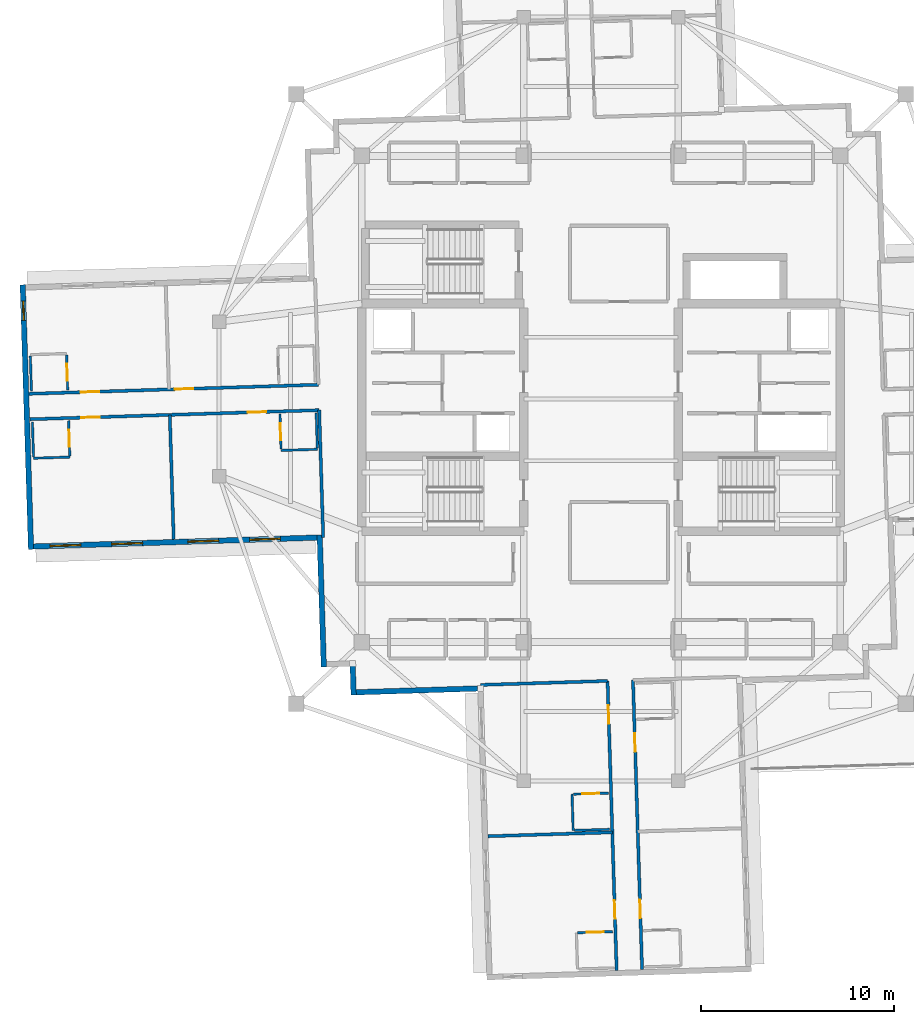
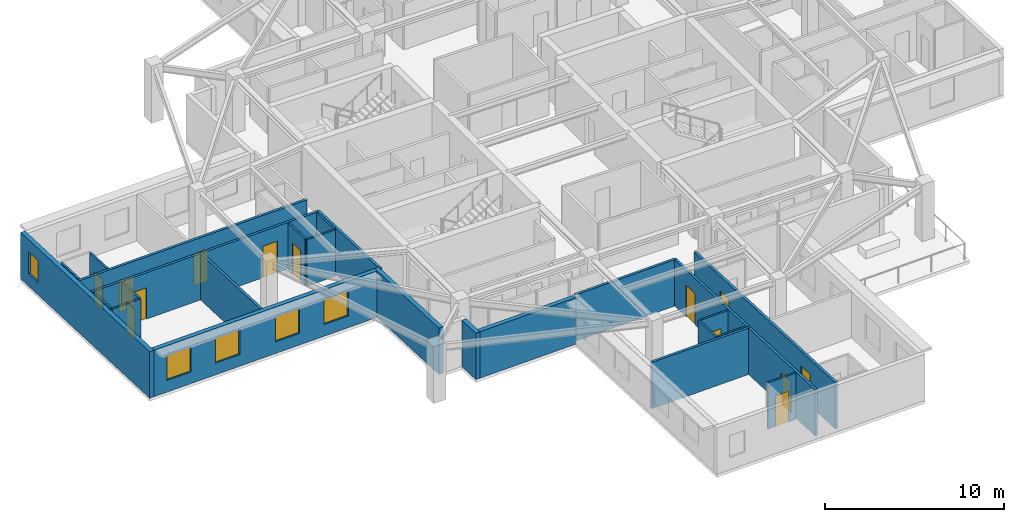
# One storey, part 3 of 13: 25 walls, 13 doors, 5 windows, 18 openings.
"""IFC4 building model written with IfcOpenShell, lengths in metres."""

from ifc_helpers import new_model, si_unit, direction, frame, frame_2d, origin, place, context, subcontext, project, spatial, rectangle, extrude, material, layer, layer_set, type_object, element, fill, save


model = new_model("IFC4")

# Units and contexts
model_context = context("Model", 3, precision=1e-05, world=origin(), true_north=direction((0.0, 1.0)))
body_context = subcontext(model_context, "Body", "Model", "MODEL_VIEW")
ifc_project = project(units=[si_unit("LENGTHUNIT", "METRE"), si_unit("AREAUNIT", "SQUARE_METRE"), si_unit("VOLUMEUNIT", "CUBIC_METRE"), si_unit("PLANEANGLEUNIT", "RADIAN"), si_unit("MASSUNIT", "GRAM", prefix="KILO")], contexts=[model_context])

# Site, building, storey
site_placement = place(None, origin())
site = spatial("IfcSite", under=ifc_project, at=site_placement, CompositionType="ELEMENT")
building_placement = place(site_placement, origin())
building = spatial("IfcBuilding", under=site, at=building_placement, Name="Qingluan Cross Belvedere", CompositionType="ELEMENT")
storey_placement = place(building_placement, frame((0.0, 0.0, 273.300048828125)))
storey = spatial("IfcBuildingStorey", under=building, at=storey_placement, Name="L68", CompositionType="ELEMENT", Elevation=273.300048828125)

# Wall, openings, doors
ifc_material_1 = material(Name="Gypsum plasterboard on steel stud acoustic partition", Category="steel")
ifc_layer_1 = layer(ifc_material_1, 0.159912109375, Name="CorridorPartition_160")
ifc_layer_set_1 = layer_set([ifc_layer_1], Name="Gypsum plasterboard on steel stud acoustic partition")
wall_type_1 = type_object("IfcWallType", Name="CorridorPartition_160", PredefinedType="PARTITIONING", material=ifc_layer_set_1)
wall_1_placement = place(storey_placement, frame((-14.650390625, 0.740234375, 0.0), z_axis=(0.0, 0.0, 1.0), x_axis=(-0.999506267701, -0.03142007044, 0.0)))
wall_1 = element("IfcWall", 1, at=wall_1_placement, inside=storey, type_object=wall_type_1, Name="Partition L68:W:c0", PredefinedType="PARTITIONING", context=body_context, shape_type="SweptSolid", body=[
    extrude(rectangle(XDim=15.011962890625, YDim=0.159912109375, at=frame_2d((7.505859375, 0.0))), origin(), (0.0, 0.0, 1.0), 3.169921875),
])
opening_1_placement = place(wall_1_placement, frame((6.489990234375, 0.0, 0.0)))
opening_1 = element("IfcOpeningElement", 2, at=opening_1_placement, cuts=wall_1, Name="Opening GD-10", PredefinedType="OPENING", context=body_context, shape_type="SweptSolid", body=[
    extrude(rectangle(XDim=0.9599609375, YDim=2.14990234375, at=frame_2d((0.47998046875, 1.074951171875))), frame((0.0, 0.08984375, 0.0), z_axis=(0.0, -1.0, 0.0), x_axis=(1.0, 0.0, 0.0)), (0.0, 0.0, 1.0), 0.179931640625),
])
opening_2_placement = place(wall_1_placement, frame((11.37109375, 0.0, 0.0)))
opening_2 = element("IfcOpeningElement", 3, at=opening_2_placement, cuts=wall_1, Name="Opening GD-10", PredefinedType="OPENING", context=body_context, shape_type="SweptSolid", body=[
    extrude(rectangle(XDim=0.9599609375, YDim=2.14990234375, at=frame_2d((0.47998046875, 1.074951171875))), frame((0.0, 0.08984375, 0.0), z_axis=(0.0, -1.0, 0.0), x_axis=(1.0, 0.0, 0.0)), (0.0, 0.0, 1.0), 0.179931640625),
])
ifc_material_2 = material(Name="Timber oak fire-rated acoustic guestroom door", Category="wood")
door_type_1 = type_object("IfcDoorType", Name="GuestEntryDoor_FD60", OperationType="NOTDEFINED", PredefinedType="DOOR", material=ifc_material_2)
door_1_placement = place(opening_1_placement, origin())
door_1 = element("IfcDoor", 4, at=door_1_placement, inside=storey, type_object=door_type_1, Name="Guest entry fire door 6805", OperationType="SINGLE_SWING_LEFT", OverallHeight=2.14990234375, OverallWidth=0.9599609375, PredefinedType="DOOR", context=body_context, shape_type="SweptSolid", body=[
    extrude(rectangle(XDim=0.9599609375, YDim=2.14990234375, at=frame_2d((0.47998046875, 1.074951171875))), frame((0.0, 0.02490234375, 0.0), z_axis=(0.0, -1.0, 0.0), x_axis=(1.0, 0.0, 0.0)), (0.0, 0.0, 1.0), 0.050048828125),
])
fill(opening_1, door_1)
door_2_placement = place(opening_2_placement, origin())
door_2 = element("IfcDoor", 5, at=door_2_placement, inside=storey, type_object=door_type_1, Name="Guest entry fire door 6806", OperationType="SINGLE_SWING_LEFT", OverallHeight=2.14990234375, OverallWidth=0.9599609375, PredefinedType="DOOR", context=body_context, shape_type="SweptSolid", body=[
    extrude(rectangle(XDim=0.9599609375, YDim=2.14990234375, at=frame_2d((0.47998046875, 1.074951171875))), frame((0.0, 0.02490234375, 0.0), z_axis=(0.0, -1.0, 0.0), x_axis=(1.0, 0.0, 0.0)), (0.0, 0.0, 1.0), 0.050048828125),
])
fill(opening_2, door_2)

wall_2_placement = place(storey_placement, frame((-14.60888671875, -0.5791015625, 0.0), z_axis=(0.0, 0.0, 1.0), x_axis=(-0.999506267701, -0.03142007044, 0.0)))
wall_2 = element("IfcWall", 6, at=wall_2_placement, inside=storey, type_object=wall_type_1, Name="Partition L68:W:c1", PredefinedType="PARTITIONING", context=body_context, shape_type="SweptSolid", body=[
    extrude(rectangle(XDim=15.011962890625, YDim=0.159912109375, at=frame_2d((7.505859375, 0.0))), origin(), (0.0, 0.0, 1.0), 3.169921875),
])
opening_3_placement = place(wall_2_placement, frame((2.7548828125, 0.0, 0.0)))
opening_3 = element("IfcOpeningElement", 7, at=opening_3_placement, cuts=wall_2, Name="Opening GD-10", PredefinedType="OPENING", context=body_context, shape_type="SweptSolid", body=[
    extrude(rectangle(XDim=0.9599609375, YDim=2.14990234375, at=frame_2d((0.47998046875, 1.074951171875))), frame((0.0, 0.08984375, 0.0), z_axis=(0.0, -1.0, 0.0), x_axis=(1.0, 0.0, 0.0)), (0.0, 0.0, 1.0), 0.179931640625),
])
opening_4_placement = place(wall_2_placement, frame((11.37109375, 0.0, 0.0)))
opening_4 = element("IfcOpeningElement", 8, at=opening_4_placement, cuts=wall_2, Name="Opening GD-10", PredefinedType="OPENING", context=body_context, shape_type="SweptSolid", body=[
    extrude(rectangle(XDim=0.9599609375, YDim=2.14990234375, at=frame_2d((0.47998046875, 1.074951171875))), frame((0.0, 0.08984375, 0.0), z_axis=(0.0, -1.0, 0.0), x_axis=(1.0, 0.0, 0.0)), (0.0, 0.0, 1.0), 0.179931640625),
])
door_3_placement = place(opening_3_placement, origin())
door_3 = element("IfcDoor", 9, at=door_3_placement, inside=storey, type_object=door_type_1, Name="Guest entry fire door 6807", OperationType="SINGLE_SWING_LEFT", OverallHeight=2.14990234375, OverallWidth=0.9599609375, PredefinedType="DOOR", context=body_context, shape_type="SweptSolid", body=[
    extrude(rectangle(XDim=0.9599609375, YDim=2.14990234375, at=frame_2d((0.47998046875, 1.074951171875))), frame((0.0, 0.02490234375, 0.0), z_axis=(0.0, -1.0, 0.0), x_axis=(1.0, 0.0, 0.0)), (0.0, 0.0, 1.0), 0.050048828125),
])
fill(opening_3, door_3)
door_4_placement = place(opening_4_placement, origin())
door_4 = element("IfcDoor", 10, at=door_4_placement, inside=storey, type_object=door_type_1, Name="Guest entry fire door 6808", OperationType="SINGLE_SWING_LEFT", OverallHeight=2.14990234375, OverallWidth=0.9599609375, PredefinedType="DOOR", context=body_context, shape_type="SweptSolid", body=[
    extrude(rectangle(XDim=0.9599609375, YDim=2.14990234375, at=frame_2d((0.47998046875, 1.074951171875))), frame((0.0, 0.02490234375, 0.0), z_axis=(0.0, -1.0, 0.0), x_axis=(1.0, 0.0, 0.0)), (0.0, 0.0, 1.0), 0.050048828125),
])
fill(opening_4, door_4)

# Walls
wall_3_placement = place(storey_placement, frame((-14.60888671875, -0.5791015625, 0.0), z_axis=(0.0, 0.0, 1.0), x_axis=(0.031405670078, -0.999506720281, 0.0)))
element("IfcWall", 11, at=wall_3_placement, inside=storey, type_object=wall_type_1, Name="Partition L68:W:s1", PredefinedType="PARTITIONING", context=body_context, shape_type="SweptSolid", body=[
    extrude(rectangle(XDim=6.599853515625, YDim=0.159912109375, at=frame_2d((3.2998046875, 0.0))), origin(), (0.0, 0.0, 1.0), 3.169921875),
])
wall_4_placement = place(storey_placement, frame((-22.355224609375, -0.822509765625, 0.0), z_axis=(0.0, 0.0, 1.0), x_axis=(0.031406040816, -0.999506708632, 0.0)))
element("IfcWall", 12, at=wall_4_placement, inside=storey, type_object=wall_type_1, Name="Partition L68:W:d1_0", PredefinedType="PARTITIONING", context=body_context, shape_type="SweptSolid", body=[
    extrude(rectangle(XDim=6.4521484375, YDim=0.159912109375, at=frame_2d((3.22607421875, 0.0))), origin(), (0.0, 0.0, 1.0), 3.169921875),
])

# Wall, openings, doors
wall_5_placement = place(storey_placement, frame((1.65869140625, -14.5751953125, 0.0), z_axis=(0.0, 0.0, 1.0), x_axis=(0.031404333983, -0.999506762262, 0.0)))
wall_5 = element("IfcWall", 13, at=wall_5_placement, inside=storey, type_object=wall_type_1, Name="Partition L68:S:c0", PredefinedType="PARTITIONING", context=body_context, shape_type="SweptSolid", body=[
    extrude(rectangle(XDim=15.01171875, YDim=0.159912109375, at=frame_2d((7.505859375, 0.0))), origin(), (0.0, 0.0, 1.0), 3.169921875),
])
opening_5_placement = place(wall_5_placement, frame((2.764892578125, 0.0, 0.0)))
opening_5 = element("IfcOpeningElement", 14, at=opening_5_placement, cuts=wall_5, Name="Opening GD-10", PredefinedType="OPENING", context=body_context, shape_type="SweptSolid", body=[
    extrude(rectangle(XDim=0.9599609375, YDim=2.14990234375, at=frame_2d((0.47998046875, 1.074951171875))), frame((0.0, 0.08984375, 0.0), z_axis=(0.0, -1.0, 0.0), x_axis=(1.0, 0.0, 0.0)), (0.0, 0.0, 1.0), 0.179931640625),
])
opening_6_placement = place(wall_5_placement, frame((11.381103515625, 0.0, 0.0)))
opening_6 = element("IfcOpeningElement", 15, at=opening_6_placement, cuts=wall_5, Name="Opening GD-10", PredefinedType="OPENING", context=body_context, shape_type="SweptSolid", body=[
    extrude(rectangle(XDim=0.9599609375, YDim=2.14990234375, at=frame_2d((0.47998046875, 1.074951171875))), frame((0.0, 0.08984375, 0.0), z_axis=(0.0, -1.0, 0.0), x_axis=(1.0, 0.0, 0.0)), (0.0, 0.0, 1.0), 0.179931640625),
])
door_5_placement = place(opening_5_placement, origin())
door_5 = element("IfcDoor", 16, at=door_5_placement, inside=storey, type_object=door_type_1, Name="Guest entry fire door 6815", OperationType="SINGLE_SWING_LEFT", OverallHeight=2.14990234375, OverallWidth=0.9599609375, PredefinedType="DOOR", context=body_context, shape_type="SweptSolid", body=[
    extrude(rectangle(XDim=0.9599609375, YDim=2.14990234375, at=frame_2d((0.47998046875, 1.074951171875))), frame((0.0, 0.02490234375, 0.0), z_axis=(0.0, -1.0, 0.0), x_axis=(1.0, 0.0, 0.0)), (0.0, 0.0, 1.0), 0.050048828125),
])
fill(opening_5, door_5)
door_6_placement = place(opening_6_placement, origin())
door_6 = element("IfcDoor", 17, at=door_6_placement, inside=storey, type_object=door_type_1, Name="Guest entry fire door 6816", OperationType="SINGLE_SWING_LEFT", OverallHeight=2.14990234375, OverallWidth=0.9599609375, PredefinedType="DOOR", context=body_context, shape_type="SweptSolid", body=[
    extrude(rectangle(XDim=0.9599609375, YDim=2.14990234375, at=frame_2d((0.47998046875, 1.074951171875))), frame((0.0, 0.02490234375, 0.0), z_axis=(0.0, -1.0, 0.0), x_axis=(1.0, 0.0, 0.0)), (0.0, 0.0, 1.0), 0.050048828125),
])
fill(opening_6, door_6)

wall_6_placement = place(storey_placement, frame((0.33935546875, -14.61669921875, 0.0), z_axis=(0.0, 0.0, 1.0), x_axis=(0.031404333983, -0.999506762262, 0.0)))
wall_6 = element("IfcWall", 18, at=wall_6_placement, inside=storey, type_object=wall_type_1, Name="Partition L68:S:c1", PredefinedType="PARTITIONING", context=body_context, shape_type="SweptSolid", body=[
    extrude(rectangle(XDim=15.01171875, YDim=0.159912109375, at=frame_2d((7.505859375, 0.0))), origin(), (0.0, 0.0, 1.0), 3.169921875),
])
opening_7_placement = place(wall_6_placement, frame((1.27099609375, 0.0, 0.0)))
opening_7 = element("IfcOpeningElement", 19, at=opening_7_placement, cuts=wall_6, Name="Opening GD-10", PredefinedType="OPENING", context=body_context, shape_type="SweptSolid", body=[
    extrude(rectangle(XDim=0.9599609375, YDim=2.14990234375, at=frame_2d((0.47998046875, 1.074951171875))), frame((0.0, 0.08984375, 0.0), z_axis=(0.0, -1.0, 0.0), x_axis=(1.0, 0.0, 0.0)), (0.0, 0.0, 1.0), 0.179931640625),
])
opening_8_placement = place(wall_6_placement, frame((11.381103515625, 0.0, 0.0)))
opening_8 = element("IfcOpeningElement", 20, at=opening_8_placement, cuts=wall_6, Name="Opening GD-10", PredefinedType="OPENING", context=body_context, shape_type="SweptSolid", body=[
    extrude(rectangle(XDim=0.9599609375, YDim=2.14990234375, at=frame_2d((0.47998046875, 1.074951171875))), frame((0.0, 0.08984375, 0.0), z_axis=(0.0, -1.0, 0.0), x_axis=(1.0, 0.0, 0.0)), (0.0, 0.0, 1.0), 0.179931640625),
])
door_7_placement = place(opening_7_placement, origin())
door_7 = element("IfcDoor", 21, at=door_7_placement, inside=storey, type_object=door_type_1, Name="Guest entry fire door 6817", OperationType="SINGLE_SWING_LEFT", OverallHeight=2.14990234375, OverallWidth=0.9599609375, PredefinedType="DOOR", context=body_context, shape_type="SweptSolid", body=[
    extrude(rectangle(XDim=0.9599609375, YDim=2.14990234375, at=frame_2d((0.47998046875, 1.074951171875))), frame((0.0, 0.02490234375, 0.0), z_axis=(0.0, -1.0, 0.0), x_axis=(1.0, 0.0, 0.0)), (0.0, 0.0, 1.0), 0.050048828125),
])
fill(opening_7, door_7)
door_8_placement = place(opening_8_placement, origin())
door_8 = element("IfcDoor", 22, at=door_8_placement, inside=storey, type_object=door_type_1, Name="Guest entry fire door 6818", OperationType="SINGLE_SWING_LEFT", OverallHeight=2.14990234375, OverallWidth=0.9599609375, PredefinedType="DOOR", context=body_context, shape_type="SweptSolid", body=[
    extrude(rectangle(XDim=0.9599609375, YDim=2.14990234375, at=frame_2d((0.47998046875, 1.074951171875))), frame((0.0, 0.02490234375, 0.0), z_axis=(0.0, -1.0, 0.0), x_axis=(1.0, 0.0, 0.0)), (0.0, 0.0, 1.0), 0.050048828125),
])
fill(opening_8, door_8)

# Walls
wall_7_placement = place(storey_placement, frame((0.33935546875, -14.61669921875, 0.0), z_axis=(0.0, 0.0, 1.0), x_axis=(-0.999506756764, -0.031404508956, 0.0)))
element("IfcWall", 23, at=wall_7_placement, inside=storey, type_object=wall_type_1, Name="Partition L68:S:s1", PredefinedType="PARTITIONING", context=body_context, shape_type="SweptSolid", body=[
    extrude(rectangle(XDim=6.60009765625, YDim=0.159912109375, at=frame_2d((3.300048828125, 0.0))), origin(), (0.0, 0.0, 1.0), 3.169921875),
])
wall_8_placement = place(storey_placement, frame((0.5859375, -22.4658203125, 0.0), z_axis=(0.0, 0.0, 1.0), x_axis=(-0.999506671308, -0.031407228636, 0.0)))
element("IfcWall", 24, at=wall_8_placement, inside=storey, type_object=wall_type_1, Name="Partition L68:S:d1_0", PredefinedType="PARTITIONING", context=body_context, shape_type="SweptSolid", body=[
    extrude(rectangle(XDim=6.451904296875, YDim=0.159912109375, at=frame_2d((3.22607421875, 0.0))), origin(), (0.0, 0.0, 1.0), 3.169921875),
])

# Wall, opening, door
ifc_material_3 = material(Name="Moisture-resistant gypsum board lining")
ifc_layer_2 = layer(ifc_material_3, 0.1201171875, Name="EnsuiteWetPartition_120")
ifc_layer_set_2 = layer_set([ifc_layer_2], Name="Moisture-resistant gypsum board lining")
wall_type_2 = type_object("IfcWallType", Name="EnsuiteWetPartition_120", PredefinedType="PARTITIONING", material=ifc_layer_set_2)
wall_9_placement = place(storey_placement, frame((-27.6484375, 0.4716796875, 0.0), z_axis=(0.0, 0.0, 1.0), x_axis=(-0.031385496622, 0.999507353951, 0.0)))
wall_9 = element("IfcWall", 25, at=wall_9_placement, inside=storey, type_object=wall_type_2, Name="Partition L68:W:bs0_1", PredefinedType="PARTITIONING", context=body_context, shape_type="SweptSolid", body=[
    extrude(rectangle(XDim=1.8203125, YDim=0.1201171875, at=frame_2d((0.91015625, 0.0))), origin(), (0.0, 0.0, 1.0), 3.169921875),
])
opening_9_placement = place(wall_9_placement, frame((0.469970703125, 0.0, 0.0)))
opening_9 = element("IfcOpeningElement", 26, at=opening_9_placement, cuts=wall_9, Name="Opening BD-09", PredefinedType="OPENING", context=body_context, shape_type="SweptSolid", body=[
    extrude(rectangle(XDim=0.8798828125, YDim=2.10009765625, at=frame_2d((0.43994140625, 1.050048828125))), frame((0.0, 0.070068359375, 0.0), z_axis=(0.0, -1.0, 0.0), x_axis=(1.0, 0.0, 0.0)), (0.0, 0.0, 1.0), 0.14013671875),
])
ifc_material_4 = material(Name="Moisture-sealed timber en-suite door", Category="wood")
door_type_2 = type_object("IfcDoorType", Name="BathroomDoor_880", OperationType="NOTDEFINED", PredefinedType="DOOR", material=ifc_material_4)
door_9_placement = place(opening_9_placement, origin())
door_9 = element("IfcDoor", 27, at=door_9_placement, inside=storey, type_object=door_type_2, Name="Bathroom door 6806", OperationType="SINGLE_SWING_RIGHT", OverallHeight=2.10009765625, OverallWidth=0.8798828125, PredefinedType="DOOR", context=body_context, shape_type="SweptSolid", body=[
    extrude(rectangle(XDim=0.8798828125, YDim=2.10009765625, at=frame_2d((0.43994140625, 1.050048828125))), frame((0.0, 0.02490234375, 0.0), z_axis=(0.0, -1.0, 0.0), x_axis=(1.0, 0.0, 0.0)), (0.0, 0.0, 1.0), 0.050048828125),
])
fill(opening_9, door_9)

# Wall
wall_10_placement = place(storey_placement, frame((-29.527587890625, 0.41259765625, 0.0), z_axis=(0.0, 0.0, 1.0), x_axis=(-0.031389704724, 0.999507221803, 0.0)))
element("IfcWall", 28, at=wall_10_placement, inside=storey, type_object=wall_type_2, Name="Partition L68:W:bw0_1", PredefinedType="PARTITIONING", context=body_context, shape_type="SweptSolid", body=[
    extrude(rectangle(XDim=1.820068359375, YDim=0.1201171875, at=frame_2d((0.91015625, 0.0))), origin(), (0.0, 0.0, 1.0), 3.169921875),
])

# Wall, opening, door
wall_11_placement = place(storey_placement, frame((-16.58642578125, -2.602294921875, 0.0), z_axis=(0.0, 0.0, 1.0), x_axis=(-0.031389704724, 0.999507221803, 0.0)))
wall_11 = element("IfcWall", 29, at=wall_11_placement, inside=storey, type_object=wall_type_2, Name="Partition L68:W:bs1_0", PredefinedType="PARTITIONING", context=body_context, shape_type="SweptSolid", body=[
    extrude(rectangle(XDim=1.820068359375, YDim=0.1201171875, at=frame_2d((0.91015625, 0.0))), origin(), (0.0, 0.0, 1.0), 3.169921875),
])
opening_10_placement = place(wall_11_placement, frame((0.469970703125, 0.0, 0.0)))
opening_10 = element("IfcOpeningElement", 30, at=opening_10_placement, cuts=wall_11, Name="Opening BD-09", PredefinedType="OPENING", context=body_context, shape_type="SweptSolid", body=[
    extrude(rectangle(XDim=0.8798828125, YDim=2.10009765625, at=frame_2d((0.43994140625, 1.050048828125))), frame((0.0, 0.070068359375, 0.0), z_axis=(0.0, -1.0, 0.0), x_axis=(1.0, 0.0, 0.0)), (0.0, 0.0, 1.0), 0.14013671875),
])
door_10_placement = place(opening_10_placement, origin())
door_10 = element("IfcDoor", 31, at=door_10_placement, inside=storey, type_object=door_type_2, Name="Bathroom door 6807", OperationType="SINGLE_SWING_RIGHT", OverallHeight=2.10009765625, OverallWidth=0.8798828125, PredefinedType="DOOR", context=body_context, shape_type="SweptSolid", body=[
    extrude(rectangle(XDim=0.8798828125, YDim=2.10009765625, at=frame_2d((0.43994140625, 1.050048828125))), frame((0.0, 0.02490234375, 0.0), z_axis=(0.0, -1.0, 0.0), x_axis=(1.0, 0.0, 0.0)), (0.0, 0.0, 1.0), 0.050048828125),
])
fill(opening_10, door_10)

# Walls
wall_12_placement = place(storey_placement, frame((-14.70751953125, -2.543212890625, 0.0), z_axis=(0.0, 0.0, 1.0), x_axis=(-0.031255692016, 0.999511421504, 0.0)))
element("IfcWall", 32, at=wall_12_placement, inside=storey, type_object=wall_type_2, Name="Partition L68:W:bw1_0", PredefinedType="PARTITIONING", context=body_context, shape_type="SweptSolid", body=[
    extrude(rectangle(XDim=1.820068359375, YDim=0.1201171875, at=frame_2d((0.91015625, 0.0))), origin(), (0.0, 0.0, 1.0), 3.169921875),
])
wall_13_placement = place(storey_placement, frame((-14.705322265625, -2.608154296875, 0.0), z_axis=(0.0, 0.0, 1.0), x_axis=(-0.999506103526, -0.031425292588, 0.0)))
element("IfcWall", 33, at=wall_13_placement, inside=storey, type_object=wall_type_2, Name="Partition L68:W:bc1_0", PredefinedType="PARTITIONING", context=body_context, shape_type="SweptSolid", body=[
    extrude(rectangle(XDim=1.880126953125, YDim=0.1201171875, at=frame_2d((0.93994140625, 0.0))), origin(), (0.0, 0.0, 1.0), 3.169921875),
])

# Wall, opening, door
wall_14_placement = place(storey_placement, frame((-27.541015625, -2.946533203125, 0.0), z_axis=(0.0, 0.0, 1.0), x_axis=(-0.031389704724, 0.999507221803, 0.0)))
wall_14 = element("IfcWall", 34, at=wall_14_placement, inside=storey, type_object=wall_type_2, Name="Partition L68:W:bs1_1", PredefinedType="PARTITIONING", context=body_context, shape_type="SweptSolid", body=[
    extrude(rectangle(XDim=1.820068359375, YDim=0.1201171875, at=frame_2d((0.91015625, 0.0))), origin(), (0.0, 0.0, 1.0), 3.169921875),
])
opening_11_placement = place(wall_14_placement, frame((0.469970703125, 0.0, 0.0)))
opening_11 = element("IfcOpeningElement", 35, at=opening_11_placement, cuts=wall_14, Name="Opening BD-09", PredefinedType="OPENING", context=body_context, shape_type="SweptSolid", body=[
    extrude(rectangle(XDim=0.8798828125, YDim=2.10009765625, at=frame_2d((0.43994140625, 1.050048828125))), frame((0.0, 0.070068359375, 0.0), z_axis=(0.0, -1.0, 0.0), x_axis=(1.0, 0.0, 0.0)), (0.0, 0.0, 1.0), 0.14013671875),
])
door_11_placement = place(opening_11_placement, origin())
door_11 = element("IfcDoor", 36, at=door_11_placement, inside=storey, type_object=door_type_2, Name="Bathroom door 6808", OperationType="SINGLE_SWING_RIGHT", OverallHeight=2.10009765625, OverallWidth=0.8798828125, PredefinedType="DOOR", context=body_context, shape_type="SweptSolid", body=[
    extrude(rectangle(XDim=0.8798828125, YDim=2.10009765625, at=frame_2d((0.43994140625, 1.050048828125))), frame((0.0, 0.02490234375, 0.0), z_axis=(0.0, -1.0, 0.0), x_axis=(1.0, 0.0, 0.0)), (0.0, 0.0, 1.0), 0.050048828125),
])
fill(opening_11, door_11)

# Walls
wall_15_placement = place(storey_placement, frame((-29.420166015625, -3.005615234375, 0.0), z_axis=(0.0, 0.0, 1.0), x_axis=(-0.031389704724, 0.999507221803, 0.0)))
element("IfcWall", 37, at=wall_15_placement, inside=storey, type_object=wall_type_2, Name="Partition L68:W:bw1_1", PredefinedType="PARTITIONING", context=body_context, shape_type="SweptSolid", body=[
    extrude(rectangle(XDim=1.820068359375, YDim=0.1201171875, at=frame_2d((0.91015625, 0.0))), origin(), (0.0, 0.0, 1.0), 3.169921875),
])
wall_16_placement = place(storey_placement, frame((-27.5390625, -3.011474609375, 0.0), z_axis=(0.0, 0.0, 1.0), x_axis=(-0.999506103526, -0.031425292588, 0.0)))
element("IfcWall", 38, at=wall_16_placement, inside=storey, type_object=wall_type_2, Name="Partition L68:W:bc1_1", PredefinedType="PARTITIONING", context=body_context, shape_type="SweptSolid", body=[
    extrude(rectangle(XDim=1.880126953125, YDim=0.1201171875, at=frame_2d((0.93994140625, 0.0))), origin(), (0.0, 0.0, 1.0), 3.169921875),
])

# Wall, opening, door
wall_17_placement = place(storey_placement, frame((-1.437255859375, -20.48828125, 0.0), z_axis=(0.0, 0.0, 1.0), x_axis=(0.999507221803, 0.031389704724, 0.0)))
wall_17 = element("IfcWall", 39, at=wall_17_placement, inside=storey, type_object=wall_type_2, Name="Partition L68:S:bs1_0", PredefinedType="PARTITIONING", context=body_context, shape_type="SweptSolid", body=[
    extrude(rectangle(XDim=1.820068359375, YDim=0.1201171875, at=frame_2d((0.91015625, 0.0))), origin(), (0.0, 0.0, 1.0), 3.169921875),
])
opening_12_placement = place(wall_17_placement, frame((0.469970703125, 0.0, 0.0)))
opening_12 = element("IfcOpeningElement", 40, at=opening_12_placement, cuts=wall_17, Name="Opening BD-09", PredefinedType="OPENING", context=body_context, shape_type="SweptSolid", body=[
    extrude(rectangle(XDim=0.8798828125, YDim=2.10009765625, at=frame_2d((0.43994140625, 1.050048828125))), frame((0.0, 0.070068359375, 0.0), z_axis=(0.0, -1.0, 0.0), x_axis=(1.0, 0.0, 0.0)), (0.0, 0.0, 1.0), 0.14013671875),
])
door_12_placement = place(opening_12_placement, origin())
door_12 = element("IfcDoor", 41, at=door_12_placement, inside=storey, type_object=door_type_2, Name="Bathroom door 6817", OperationType="SINGLE_SWING_RIGHT", OverallHeight=2.10009765625, OverallWidth=0.8798828125, PredefinedType="DOOR", context=body_context, shape_type="SweptSolid", body=[
    extrude(rectangle(XDim=0.8798828125, YDim=2.10009765625, at=frame_2d((0.43994140625, 1.050048828125))), frame((0.0, 0.02490234375, 0.0), z_axis=(0.0, -1.0, 0.0), x_axis=(1.0, 0.0, 0.0)), (0.0, 0.0, 1.0), 0.050048828125),
])
fill(opening_12, door_12)

# Walls
wall_18_placement = place(storey_placement, frame((-1.378173828125, -22.3671875, 0.0), z_axis=(0.0, 0.0, 1.0), x_axis=(0.999511421504, 0.031255692016, 0.0)))
element("IfcWall", 42, at=wall_18_placement, inside=storey, type_object=wall_type_2, Name="Partition L68:S:bw1_0", PredefinedType="PARTITIONING", context=body_context, shape_type="SweptSolid", body=[
    extrude(rectangle(XDim=1.820068359375, YDim=0.1201171875, at=frame_2d((0.91015625, 0.0))), origin(), (0.0, 0.0, 1.0), 3.169921875),
])
wall_19_placement = place(storey_placement, frame((-1.502197265625, -20.490234375, 0.0), z_axis=(0.0, 0.0, 1.0), x_axis=(0.031425292588, -0.999506103526, 0.0)))
element("IfcWall", 43, at=wall_19_placement, inside=storey, type_object=wall_type_2, Name="Partition L68:S:bc1_0", PredefinedType="PARTITIONING", context=body_context, shape_type="SweptSolid", body=[
    extrude(rectangle(XDim=1.880126953125, YDim=0.1201171875, at=frame_2d((0.93994140625, 0.0))), origin(), (0.0, 0.0, 1.0), 3.169921875),
])

# Wall, opening, door
wall_20_placement = place(storey_placement, frame((-1.21142578125, -27.671630859375, 0.0), z_axis=(0.0, 0.0, 1.0), x_axis=(0.999507221803, 0.031389704724, 0.0)))
wall_20 = element("IfcWall", 44, at=wall_20_placement, inside=storey, type_object=wall_type_2, Name="Partition L68:S:bs1_1", PredefinedType="PARTITIONING", context=body_context, shape_type="SweptSolid", body=[
    extrude(rectangle(XDim=1.820068359375, YDim=0.1201171875, at=frame_2d((0.91015625, 0.0))), origin(), (0.0, 0.0, 1.0), 3.169921875),
])
opening_13_placement = place(wall_20_placement, frame((0.469970703125, 0.0, 0.0)))
opening_13 = element("IfcOpeningElement", 45, at=opening_13_placement, cuts=wall_20, Name="Opening BD-09", PredefinedType="OPENING", context=body_context, shape_type="SweptSolid", body=[
    extrude(rectangle(XDim=0.8798828125, YDim=2.10009765625, at=frame_2d((0.43994140625, 1.050048828125))), frame((0.0, 0.070068359375, 0.0), z_axis=(0.0, -1.0, 0.0), x_axis=(1.0, 0.0, 0.0)), (0.0, 0.0, 1.0), 0.14013671875),
])
door_13_placement = place(opening_13_placement, origin())
door_13 = element("IfcDoor", 46, at=door_13_placement, inside=storey, type_object=door_type_2, Name="Bathroom door 6818", OperationType="SINGLE_SWING_RIGHT", OverallHeight=2.10009765625, OverallWidth=0.8798828125, PredefinedType="DOOR", context=body_context, shape_type="SweptSolid", body=[
    extrude(rectangle(XDim=0.8798828125, YDim=2.10009765625, at=frame_2d((0.43994140625, 1.050048828125))), frame((0.0, 0.02490234375, 0.0), z_axis=(0.0, -1.0, 0.0), x_axis=(1.0, 0.0, 0.0)), (0.0, 0.0, 1.0), 0.050048828125),
])
fill(opening_13, door_13)

# Wall, openings, windows
ifc_material_5 = material(Name="Precast concrete C45", Category="concrete")
ifc_layer_3 = layer(ifc_material_5, 0.280029296875, Name="PrecastFacadeWall_280")
ifc_layer_set_3 = layer_set([ifc_layer_3], Name="Precast concrete C45")
wall_type_3 = type_object("IfcWallType", Name="PrecastFacadeWall_280", PredefinedType="STANDARD", material=ifc_layer_set_3)
wall_21_placement = place(storey_placement, frame((-29.414306640625, -7.647705078125, 0.0), z_axis=(0.0, 0.0, 1.0), x_axis=(0.999506714454, 0.031405855522, 0.0)))
wall_21 = element("IfcWall", 47, at=wall_21_placement, inside=storey, type_object=wall_type_3, Name="Facade wall L68-WB", PredefinedType="STANDARD", context=body_context, shape_type="SweptSolid", body=[
    extrude(rectangle(XDim=14.7001953125, YDim=0.280029296875, at=frame_2d((7.35009765625, 0.0))), origin(), (0.0, 0.0, 1.0), 3.179931640625),
])
opening_14_placement = place(wall_21_placement, frame((0.85009765625, 0.0, 0.800048828125)))
opening_14 = element("IfcOpeningElement", 48, at=opening_14_placement, cuts=wall_21, Name="Opening W-04", PredefinedType="OPENING", context=body_context, shape_type="SweptSolid", body=[
    extrude(rectangle(XDim=1.60009765625, YDim=1.699951171875, at=frame_2d((0.800048828125, 0.85009765625))), frame((0.0, 0.14990234375, 0.0), z_axis=(0.0, -1.0, 0.0), x_axis=(1.0, 0.0, 0.0)), (0.0, 0.0, 1.0), 0.300048828125),
])
opening_15_placement = place(wall_21_placement, frame((4.050048828125, 0.0, 0.800048828125)))
opening_15 = element("IfcOpeningElement", 49, at=opening_15_placement, cuts=wall_21, Name="Opening W-04", PredefinedType="OPENING", context=body_context, shape_type="SweptSolid", body=[
    extrude(rectangle(XDim=1.60009765625, YDim=1.699951171875, at=frame_2d((0.800048828125, 0.85009765625))), frame((0.0, 0.14990234375, 0.0), z_axis=(0.0, -1.0, 0.0), x_axis=(1.0, 0.0, 0.0)), (0.0, 0.0, 1.0), 0.300048828125),
])
opening_16_placement = place(wall_21_placement, frame((8.0, 0.0, 0.800048828125)))
opening_16 = element("IfcOpeningElement", 50, at=opening_16_placement, cuts=wall_21, Name="Opening W-04", PredefinedType="OPENING", context=body_context, shape_type="SweptSolid", body=[
    extrude(rectangle(XDim=1.60009765625, YDim=1.699951171875, at=frame_2d((0.800048828125, 0.85009765625))), frame((0.0, 0.14990234375, 0.0), z_axis=(0.0, -1.0, 0.0), x_axis=(1.0, 0.0, 0.0)), (0.0, 0.0, 1.0), 0.300048828125),
])
opening_17_placement = place(wall_21_placement, frame((11.199951171875, 0.0, 0.800048828125)))
opening_17 = element("IfcOpeningElement", 51, at=opening_17_placement, cuts=wall_21, Name="Opening W-04", PredefinedType="OPENING", context=body_context, shape_type="SweptSolid", body=[
    extrude(rectangle(XDim=1.60009765625, YDim=1.699951171875, at=frame_2d((0.800048828125, 0.85009765625))), frame((0.0, 0.14990234375, 0.0), z_axis=(0.0, -1.0, 0.0), x_axis=(1.0, 0.0, 0.0)), (0.0, 0.0, 1.0), 0.300048828125),
])
ifc_material_6 = material(Name="Thermally broken triple Low-E glass in aluminium frame", Category="aluminium")
window_type_1 = type_object("IfcWindowType", Name="SuiteCornerWin_1600x1700", PartitioningType="SINGLE_PANEL", PredefinedType="WINDOW", material=ifc_material_6)
window_1_placement = place(opening_14_placement, origin())
window_1 = element("IfcWindow", 52, at=window_1_placement, inside=storey, type_object=window_type_1, Name="Ribbon window L68-WB-1", OverallHeight=1.699951171875, OverallWidth=1.60009765625, PartitioningType="SINGLE_PANEL", PredefinedType="WINDOW", context=body_context, shape_type="SweptSolid", body=[
    extrude(rectangle(XDim=1.60009765625, YDim=1.699951171875, at=frame_2d((0.800048828125, 0.85009765625))), frame((0.0, 0.030029296875, 0.0), z_axis=(0.0, -1.0, 0.0), x_axis=(1.0, 0.0, 0.0)), (0.0, 0.0, 1.0), 0.06005859375),
])
fill(opening_14, window_1)
window_2_placement = place(opening_15_placement, origin())
window_2 = element("IfcWindow", 53, at=window_2_placement, inside=storey, type_object=window_type_1, Name="Ribbon window L68-WB-2", OverallHeight=1.699951171875, OverallWidth=1.60009765625, PartitioningType="SINGLE_PANEL", PredefinedType="WINDOW", context=body_context, shape_type="SweptSolid", body=[
    extrude(rectangle(XDim=1.60009765625, YDim=1.699951171875, at=frame_2d((0.800048828125, 0.85009765625))), frame((0.0, 0.030029296875, 0.0), z_axis=(0.0, -1.0, 0.0), x_axis=(1.0, 0.0, 0.0)), (0.0, 0.0, 1.0), 0.06005859375),
])
fill(opening_15, window_2)
window_3_placement = place(opening_16_placement, origin())
window_3 = element("IfcWindow", 54, at=window_3_placement, inside=storey, type_object=window_type_1, Name="Ribbon window L68-WB-3", OverallHeight=1.699951171875, OverallWidth=1.60009765625, PartitioningType="SINGLE_PANEL", PredefinedType="WINDOW", context=body_context, shape_type="SweptSolid", body=[
    extrude(rectangle(XDim=1.60009765625, YDim=1.699951171875, at=frame_2d((0.800048828125, 0.85009765625))), frame((0.0, 0.030029296875, 0.0), z_axis=(0.0, -1.0, 0.0), x_axis=(1.0, 0.0, 0.0)), (0.0, 0.0, 1.0), 0.06005859375),
])
fill(opening_16, window_3)
window_4_placement = place(opening_17_placement, origin())
window_4 = element("IfcWindow", 55, at=window_4_placement, inside=storey, type_object=window_type_1, Name="Ribbon window L68-WB-4", OverallHeight=1.699951171875, OverallWidth=1.60009765625, PartitioningType="SINGLE_PANEL", PredefinedType="WINDOW", context=body_context, shape_type="SweptSolid", body=[
    extrude(rectangle(XDim=1.60009765625, YDim=1.699951171875, at=frame_2d((0.800048828125, 0.85009765625))), frame((0.0, 0.030029296875, 0.0), z_axis=(0.0, -1.0, 0.0), x_axis=(1.0, 0.0, 0.0)), (0.0, 0.0, 1.0), 0.06005859375),
])
fill(opening_17, window_4)

# Wall, opening, window
wall_22_placement = place(storey_placement, frame((-29.980712890625, 5.921142578125, 0.0), z_axis=(0.0, 0.0, 1.0), x_axis=(0.031407524763, -0.999506662003, 0.0)))
wall_22 = element("IfcWall", 56, at=wall_22_placement, inside=storey, type_object=wall_type_3, Name="Arm tip precast facade wall L68-W", PredefinedType="STANDARD", context=body_context, shape_type="SweptSolid", body=[
    extrude(rectangle(XDim=13.719970703125, YDim=0.280029296875, at=frame_2d((6.85986328125, 0.0))), origin(), (0.0, 0.0, 1.0), 3.179931640625),
])
opening_18_placement = place(wall_22_placement, frame((0.85009765625, 0.0, 0.85009765625)))
opening_18 = element("IfcOpeningElement", 57, at=opening_18_placement, cuts=wall_22, Name="Opening W-03", PredefinedType="OPENING", context=body_context, shape_type="SweptSolid", body=[
    extrude(rectangle(XDim=1.0, YDim=1.5, at=frame_2d((0.5, 0.75))), frame((0.0, 0.14990234375, 0.0), z_axis=(0.0, -1.0, 0.0), x_axis=(1.0, 0.0, 0.0)), (0.0, 0.0, 1.0), 0.300048828125),
])
ifc_material_7 = material(Name="Thermally broken triple Low-E glass in aluminium frame", Category="aluminium")
window_type_2 = type_object("IfcWindowType", Name="TriApexWin_1000x1500", PartitioningType="SINGLE_PANEL", PredefinedType="WINDOW", material=ifc_material_7)
window_5_placement = place(opening_18_placement, origin())
window_5 = element("IfcWindow", 58, at=window_5_placement, inside=storey, type_object=window_type_2, Name="Arm tip triangular window L68-W", OverallHeight=1.5, OverallWidth=1.0, PartitioningType="SINGLE_PANEL", PredefinedType="WINDOW", context=body_context, shape_type="SweptSolid", body=[
    extrude(rectangle(XDim=1.0, YDim=1.5, at=frame_2d((0.5, 0.75))), frame((0.0, 0.030029296875, 0.0), z_axis=(0.0, -1.0, 0.0), x_axis=(1.0, 0.0, 0.0)), (0.0, 0.0, 1.0), 0.06005859375),
])
fill(opening_18, window_5)

# Walls
wall_23_placement = place(storey_placement, frame((-14.5859375, -7.04150390625, 0.0), z_axis=(0.0, 0.0, 1.0), x_axis=(0.031389189386, -0.999507237988, 0.0)))
element("IfcWall", 59, at=wall_23_placement, inside=storey, type_object=wall_type_3, Name="Corner wall L68-SW1", PredefinedType="STANDARD", context=body_context, shape_type="SweptSolid", body=[
    extrude(rectangle(XDim=6.860107421875, YDim=0.280029296875, at=frame_2d((3.43017578125, 0.0))), origin(), (0.0, 0.0, 1.0), 3.179931640625),
])
wall_24_placement = place(storey_placement, frame((-12.871337890625, -13.85107421875, 0.0), z_axis=(0.0, 0.0, 1.0), x_axis=(0.031412596484, -0.999506502621, 0.0)))
element("IfcWall", 60, at=wall_24_placement, inside=storey, type_object=wall_type_3, Name="Corner wall L68-SW3", PredefinedType="STANDARD", context=body_context, shape_type="SweptSolid", body=[
    extrude(rectangle(XDim=1.5, YDim=0.280029296875, at=frame_2d((0.75, 0.0))), origin(), (0.0, 0.0, 1.0), 3.179931640625),
])
wall_25_placement = place(storey_placement, frame((-12.688720703125, -15.2060546875, 0.0), z_axis=(0.0, 0.0, 1.0), x_axis=(0.999507262922, 0.031388395416, 0.0)))
element("IfcWall", 61, at=wall_25_placement, inside=storey, type_object=wall_type_3, Name="Corner wall L68-SW4", PredefinedType="STANDARD", context=body_context, shape_type="SweptSolid", body=[
    extrude(rectangle(XDim=6.30029296875, YDim=0.280029296875, at=frame_2d((3.150146484375, 0.0))), origin(), (0.0, 0.0, 1.0), 3.179931640625),
])

save(model, "model.ifc")
